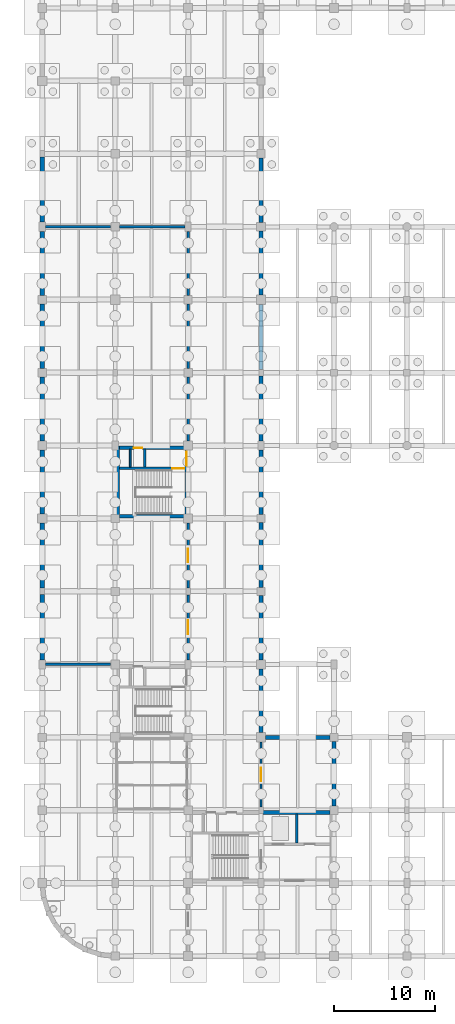
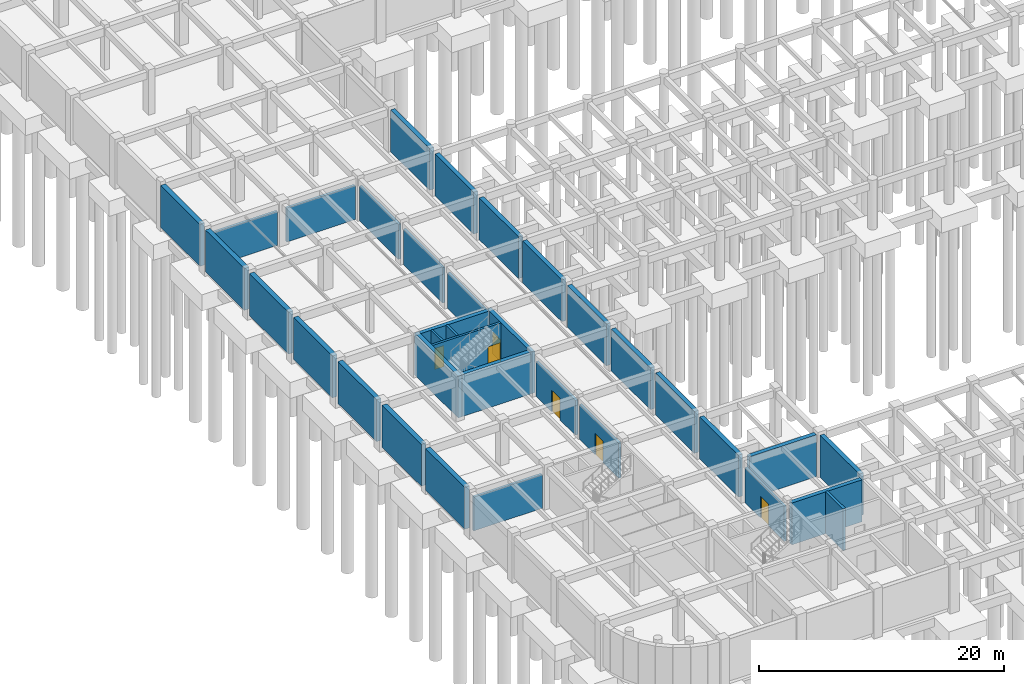
# One storey, part 38 of 47: 35 walls, 6 doors, 6 openings.
"""IFC4 building model written with IfcOpenShell, lengths in metres."""

import ifcopenshell
import ifcopenshell.guid

model = None  # the IFC model being written
_history = None  # IfcOwnerHistory: only IFC2X3 demands one
_inside = {}  # id of a spatial element -> (the spatial element, [elements in it])
_under = {}  # id of a project, library or spatial element -> (it, [spatial elements below it])
_declared = {}  # id of a project -> (the project, [libraries it declares])
_typed = {}  # id of a type object -> (the type object, [elements of that type])
_made_of = {}  # id of a material, layer set ... -> (it, [elements and type objects made of it])


def new_model(schema):
    """Start an empty IFC model of exactly this schema.

    Asked for "IFC4X3", IfcOpenShell would pick the latest addendum, in which some entities
    have other attributes; the version numbers below select the first issue.
    IFC2X3 requires an IfcOwnerHistory on every rooted entity: one is made here for all.
    """
    global model, _history
    if schema == "IFC4X3":
        model = ifcopenshell.file(schema_version=(4, 3, 0, 0))
    else:
        model = ifcopenshell.file(schema=schema)
    _inside.clear()
    _under.clear()
    _declared.clear()
    _typed.clear()
    _made_of.clear()
    _history = None
    if model.schema == "IFC2X3":
        org = make("IfcOrganization", Name="unknown")
        user = make(
            "IfcPersonAndOrganization",
            ThePerson=make("IfcPerson", FamilyName="unknown"),
            TheOrganization=org,
        )
        app = make(
            "IfcApplication",
            ApplicationDeveloper=org,
            Version="unknown",
            ApplicationFullName="unknown",
            ApplicationIdentifier="unknown",
        )
        _history = make(
            "IfcOwnerHistory",
            OwningUser=user,
            OwningApplication=app,
            ChangeAction="ADDED",
            CreationDate=0,
        )
    return model


def make(cls, **values):
    """One entity of the class cls with the attributes given. An attribute that is None is left unset."""
    return model.create_entity(
        cls, **{name: value for name, value in values.items() if value is not None}
    )


def rooted(cls, **values):
    """An entity with a GlobalId (a new one), such as an element, a storey or a relation."""
    return make(cls, GlobalId=ifcopenshell.guid.new(), OwnerHistory=_history, **values)


def si_unit(unit_type, name, prefix=None):
    """IfcSIUnit, for example si_unit("LENGTHUNIT", "METRE", prefix="MILLI")."""
    return make("IfcSIUnit", UnitType=unit_type, Prefix=prefix, Name=name)


def assignment(units):
    """IfcUnitAssignment: the units of a project."""
    return None if units is None else make("IfcUnitAssignment", Units=units)


def point(xyz):
    """IfcCartesianPoint."""
    return None if xyz is None else make("IfcCartesianPoint", Coordinates=xyz)


def direction(xyz):
    """IfcDirection."""
    return None if xyz is None else make("IfcDirection", DirectionRatios=xyz)


def frame(location, z_axis=None, x_axis=None):
    """IfcAxis2Placement3D, a coordinate frame: its origin and axes. An axis left out is left unset."""
    return make(
        "IfcAxis2Placement3D",
        Location=point(location),
        Axis=direction(z_axis),
        RefDirection=direction(x_axis),
    )


def frame_2d(location, x_axis=None):
    """IfcAxis2Placement2D, a coordinate frame in the plane: its origin and x axis."""
    return make(
        "IfcAxis2Placement2D", Location=point(location), RefDirection=direction(x_axis)
    )


def origin():
    """The frame at (0, 0, 0) with its axes left unset."""
    return frame((0.0, 0.0, 0.0))


def place(relative_to, where):
    """IfcLocalPlacement: puts the frame where relative to a parent placement (None: the world)."""
    return make(
        "IfcLocalPlacement", PlacementRelTo=relative_to, RelativePlacement=where
    )


def context(
    kind, dimensions, precision=None, world=None, true_north=None, identifier=None
):
    """IfcGeometricRepresentationContext, for example the 3D "Model" context."""
    return make(
        "IfcGeometricRepresentationContext",
        ContextIdentifier=identifier,
        ContextType=kind,
        CoordinateSpaceDimension=dimensions,
        Precision=precision,
        WorldCoordinateSystem=world,
        TrueNorth=true_north,
    )


def subcontext(parent, identifier, kind, view, scale=None):
    """IfcGeometricRepresentationSubContext, for example "Body" below "Model"."""
    return make(
        "IfcGeometricRepresentationSubContext",
        ContextIdentifier=identifier,
        ContextType=kind,
        ParentContext=parent,
        TargetScale=scale,
        TargetView=view,
    )


def project(units=None, contexts=None):
    """IfcProject with its units and contexts."""
    return rooted(
        "IfcProject",
        Name="project",
        RepresentationContexts=contexts,
        UnitsInContext=assignment(units),
    )


def spatial(cls, under=None, at=None, **own):
    """A site, building, storey or space (cls), placed at a placement, below another one or the project."""
    s = rooted(cls, ObjectPlacement=at, **own)
    if under is not None:
        _under.setdefault(under.id(), (under, []))[1].append(s)
    return s


def profile(cls, at=None, kind="AREA", **sizes):
    """A parametric profile (cls). Its sizes go by their IFC names, for example OverallWidth=200.0."""
    return make(cls, ProfileType=kind, Position=at, **sizes)


def rectangle(**sizes):
    """IfcRectangleProfileDef."""
    return profile("IfcRectangleProfileDef", **sizes)


def extrude(swept, where, along, depth):
    """IfcExtrudedAreaSolid: the profile swept, set in the frame where, extruded along a direction by depth."""
    return make(
        "IfcExtrudedAreaSolid",
        SweptArea=swept,
        Position=where,
        ExtrudedDirection=direction(along),
        Depth=depth,
    )


def shape(context_of_items, identifier, shape_type, items):
    """IfcShapeRepresentation: the items that make up one representation, for example the "Body"."""
    return make(
        "IfcShapeRepresentation",
        ContextOfItems=context_of_items,
        RepresentationIdentifier=identifier,
        RepresentationType=shape_type,
        Items=items,
    )


def material(Name=None, Category=None):
    """IfcMaterial."""
    return make("IfcMaterial", Name=Name, Category=Category)


def layer(
    of_material, thickness, ventilated=None, Name=None, Category=None, Priority=None
):
    """IfcMaterialLayer: one layer of a wall or slab, of a material (None: an air gap)."""
    return make(
        "IfcMaterialLayer",
        Material=of_material,
        LayerThickness=thickness,
        IsVentilated=ventilated,
        Name=Name,
        Category=Category,
        Priority=Priority,
    )


def layer_set(layers, Name=None):
    """IfcMaterialLayerSet."""
    return make("IfcMaterialLayerSet", MaterialLayers=layers, LayerSetName=Name)


def made_of(thing, what):
    """Note that an element or type object is made of a material, layer set ...; save() writes the relation."""
    if what is not None:
        _made_of.setdefault(what.id(), (what, []))[1].append(thing)
    return thing


def type_object(cls, material=None, **own):
    """A type object (cls), such as IfcWallType, which elements share."""
    return made_of(rooted(cls, **own), material)


def element(
    cls,
    number,
    at=None,
    inside=None,
    cuts=None,
    type_object=None,
    material=None,
    context=None,
    identifier="Body",
    shape_type=None,
    held_by="IfcProductDefinitionShape",
    body=None,
    shapes=None,
    **own,
):
    """One element of the class cls, such as IfcWall. Its Tag is "e" and its number.

    at: its placement. inside: the storey or other place that contains it. cuts: it is an
    opening in that element (IfcRelVoidsElement). A single representation is given by context,
    identifier, shape_type and body (its items); several are given by shapes. held_by: the class
    of the entity that holds the representations. save() writes the other relations.
    """
    e = rooted(cls, Tag="e%d" % number, ObjectPlacement=at, **own)
    if body is not None:
        shapes = [shape(context, identifier, shape_type, body)]
    if shapes is not None:
        e.Representation = make(held_by, Representations=shapes)
    if inside is not None:
        _inside.setdefault(inside.id(), (inside, []))[1].append(e)
    if cuts is not None:
        rooted(
            "IfcRelVoidsElement", RelatingBuildingElement=cuts, RelatedOpeningElement=e
        )
    if type_object is not None:
        _typed.setdefault(type_object.id(), (type_object, []))[1].append(e)
    return made_of(e, material)


def fill(opening, filler):
    """IfcRelFillsElement: the door or window that sits in an opening."""
    return rooted(
        "IfcRelFillsElement",
        RelatingOpeningElement=opening,
        RelatedBuildingElement=filler,
    )


def aggregate(whole, parts):
    """IfcRelAggregates: a whole, such as a stair, and the parts it consists of."""
    return rooted("IfcRelAggregates", RelatingObject=whole, RelatedObjects=parts)


def save(model, path):
    """Write the relations noted so far, then the file.

    IfcRelAggregates (storeys below a building ...), IfcRelContainedInSpatialStructure (elements
    in a storey), IfcRelDefinesByType, IfcRelAssociatesMaterial and IfcRelDeclares: one each for
    every whole, place, type object, material and project.
    """
    for whole, parts in _under.values():
        aggregate(whole, parts)
    for where, things in _inside.values():
        rooted(
            "IfcRelContainedInSpatialStructure",
            RelatedElements=things,
            RelatingStructure=where,
        )
    for kind, things in _typed.values():
        rooted("IfcRelDefinesByType", RelatedObjects=things, RelatingType=kind)
    for what, things in _made_of.values():
        rooted("IfcRelAssociatesMaterial", RelatedObjects=things, RelatingMaterial=what)
    for by, libraries in _declared.values():
        rooted("IfcRelDeclares", RelatingContext=by, RelatedDefinitions=libraries)
    model.write(path)


model = new_model("IFC4")

# Units and contexts
model_context = context("Model", 3, precision=1e-05, world=origin(), true_north=direction((0.0, 1.0)))
body_context = subcontext(model_context, "Body", "Model", "MODEL_VIEW")
ifc_project = project(units=[si_unit("LENGTHUNIT", "METRE"), si_unit("AREAUNIT", "SQUARE_METRE"), si_unit("VOLUMEUNIT", "CUBIC_METRE"), si_unit("PLANEANGLEUNIT", "RADIAN"), si_unit("MASSUNIT", "GRAM", prefix="KILO")], contexts=[model_context])

# Site, building, storey
site_placement = place(None, origin())
site = spatial("IfcSite", under=ifc_project, at=site_placement, CompositionType="ELEMENT")
building_placement = place(site_placement, origin())
building = spatial("IfcBuilding", under=site, at=building_placement, Name="Thalmaran Polytechnic", CompositionType="ELEMENT")
storey_placement = place(building_placement, frame((0.0, 0.0, -4.5)))
storey = spatial("IfcBuildingStorey", under=building, at=storey_placement, Name="B1", CompositionType="ELEMENT", Elevation=-4.5)

# Walls
ifc_material_1 = material(Name="Autoclaved aerated masonry", Category="masonry")
ifc_layer_1 = layer(ifc_material_1, 0.25, Name="Autoclaved aerated masonry")
ifc_layer_set_1 = layer_set([ifc_layer_1], Name="Autoclaved aerated masonry")
wall_type_1 = type_object("IfcWallType", Name="WL-IW01", PredefinedType="PARTITIONING", material=ifc_layer_set_1)
wall_1_placement = place(storey_placement, frame((25.10009765625, 11.179931640625, 0.0), z_axis=(0.0, 0.0, 1.0), x_axis=(0.0, 1.0, 0.0)))
element("IfcWall", 1, at=wall_1_placement, inside=storey, type_object=wall_type_1, Name="Core C1 Shaft Dividing Wall B1", PredefinedType="PARTITIONING", context=body_context, shape_type="SweptSolid", body=[
    extrude(rectangle(XDim=2.8701171875, YDim=0.25, at=frame_2d((1.43505859375, 0.0))), origin(), (0.0, 0.0, 1.0), 4.169921875),
])
ifc_layer_2 = layer(ifc_material_1, 0.22998046875, Name="Autoclaved aerated masonry")
ifc_layer_set_2 = layer_set([ifc_layer_2], Name="Autoclaved aerated masonry")
wall_type_2 = type_object("IfcWallType", Name="WL-IW02", PredefinedType="PARTITIONING", material=ifc_layer_set_2)
wall_2_placement = place(storey_placement, frame((10.10009765625, 48.300048828125, 0.0), z_axis=(0.0, 0.0, 1.0), x_axis=(0.0, 1.0, 0.0)))
element("IfcWall", 2, at=wall_2_placement, inside=storey, type_object=wall_type_2, Name="Core C4 Riser Partition B1", PredefinedType="PARTITIONING", context=body_context, shape_type="SweptSolid", body=[
    extrude(rectangle(XDim=1.739990234375, YDim=0.22998046875, at=frame_2d((0.8701171875, 0.0))), origin(), (0.0, 0.0, 1.0), 4.169921875),
])
for number, where, z_axis, x_axis, name in (
    (3, (0.304931640625, 28.800048828125, 0.0), (0.0, 0.0, 1.0), (1.0, 0.0, 0.0), "Interior Partition IW02 B1-001"),
    (4, (0.304931640625, 72.0, 0.0), (0.0, 0.0, 1.0), (1.0, 0.0, 0.0), "Interior Partition IW02 B1-002"),
):
    element("IfcWall", number, at=place(storey_placement, frame(where, z_axis=z_axis, x_axis=x_axis)), inside=storey, type_object=wall_type_2, Name=name, PredefinedType="PARTITIONING", context=body_context, shape_type="SweptSolid", body=[
        extrude(rectangle(XDim=6.449951171875, YDim=0.22998046875, at=frame_2d((3.22509765625, 0.0))), origin(), (0.0, 0.0, 1.0), 3.3701171875),
    ])

# Wall, opening, door
wall_3_placement = place(storey_placement, frame((14.39990234375, 29.2548828125, 0.0), z_axis=(0.0, 0.0, 1.0), x_axis=(0.0, 1.0, 0.0)))
wall_3 = element("IfcWall", 5, at=wall_3_placement, inside=storey, type_object=wall_type_2, Name="Interior Partition IW02 B1-004", PredefinedType="PARTITIONING", context=body_context, shape_type="SweptSolid", body=[
    extrude(rectangle(XDim=6.4150390625, YDim=0.22998046875, at=frame_2d((3.20751953125, 0.0))), origin(), (0.0, 0.0, 1.0), 3.47998046875),
])
opening_1_placement = place(wall_3_placement, frame((2.532470703125, 0.0, 0.0)))
opening_1 = element("IfcOpeningElement", 6, at=opening_1_placement, cuts=wall_3, Name="Opening D-B1-003--STR-1", PredefinedType="OPENING", context=body_context, shape_type="SweptSolid", body=[
    extrude(rectangle(XDim=1.35009765625, YDim=2.14990234375, at=frame_2d((0.675048828125, 1.074951171875))), frame((0.0, 0.125, 0.0), z_axis=(0.0, -1.0, 0.0), x_axis=(1.0, 0.0, 0.0)), (0.0, 0.0, 1.0), 0.25),
])
ifc_material_2 = material(Name="Powder-coated fire-rated steel", Category="steel")
door_type_1 = type_object("IfcDoorType", Name="DR-FD06", OperationType="NOTDEFINED", PredefinedType="DOOR", material=ifc_material_2)
door_1_placement = place(opening_1_placement, origin())
door_1 = element("IfcDoor", 7, at=door_1_placement, inside=storey, type_object=door_type_1, Name="Heavy Engineering Equipment Store Door 1", OperationType="SINGLE_SWING_LEFT", OverallHeight=2.14990234375, OverallWidth=1.35009765625, PredefinedType="DOOR", context=body_context, shape_type="SweptSolid", body=[
    extrude(rectangle(XDim=1.35009765625, YDim=2.14990234375, at=frame_2d((0.675048828125, 1.074951171875))), frame((0.0, 0.02490234375, 0.0), z_axis=(0.0, -1.0, 0.0), x_axis=(1.0, 0.0, 0.0)), (0.0, 0.0, 1.0), 0.050048828125),
])
fill(opening_1, door_1)

wall_4_placement = place(storey_placement, frame((14.39990234375, 36.330078125, 0.0), z_axis=(0.0, 0.0, 1.0), x_axis=(0.0, 1.0, 0.0)))
wall_4 = element("IfcWall", 8, at=wall_4_placement, inside=storey, type_object=wall_type_2, Name="Interior Partition IW02 B1-005", PredefinedType="PARTITIONING", context=body_context, shape_type="SweptSolid", body=[
    extrude(rectangle(XDim=6.4150390625, YDim=0.22998046875, at=frame_2d((3.20751953125, 0.0))), origin(), (0.0, 0.0, 1.0), 3.47509765625),
])
opening_2_placement = place(wall_4_placement, frame((2.532470703125, 0.0, 0.0)))
opening_2 = element("IfcOpeningElement", 9, at=opening_2_placement, cuts=wall_4, Name="Opening D-B1-004--STR-2", PredefinedType="OPENING", context=body_context, shape_type="SweptSolid", body=[
    extrude(rectangle(XDim=1.35009765625, YDim=2.14990234375, at=frame_2d((0.675048828125, 1.074951171875))), frame((0.0, 0.125, 0.0), z_axis=(0.0, -1.0, 0.0), x_axis=(1.0, 0.0, 0.0)), (0.0, 0.0, 1.0), 0.25),
])
door_2_placement = place(opening_2_placement, origin())
door_2 = element("IfcDoor", 10, at=door_2_placement, inside=storey, type_object=door_type_1, Name="Heavy Engineering Equipment Store Door 2", OperationType="SINGLE_SWING_RIGHT", OverallHeight=2.14990234375, OverallWidth=1.35009765625, PredefinedType="DOOR", context=body_context, shape_type="SweptSolid", body=[
    extrude(rectangle(XDim=1.35009765625, YDim=2.14990234375, at=frame_2d((0.675048828125, 1.074951171875))), frame((0.0, 0.02490234375, 0.0), z_axis=(0.0, -1.0, 0.0), x_axis=(1.0, 0.0, 0.0)), (0.0, 0.0, 1.0), 0.050048828125),
])
fill(opening_2, door_2)

# Walls
wall_5_placement = place(storey_placement, frame((14.39990234375, 50.844970703125, 0.0), z_axis=(0.0, 0.0, 1.0), x_axis=(0.0, 1.0, 0.0)))
element("IfcWall", 11, at=wall_5_placement, inside=storey, type_object=wall_type_2, Name="Interior Partition IW02 B1-006", PredefinedType="PARTITIONING", context=body_context, shape_type="SweptSolid", body=[
    extrude(rectangle(XDim=6.340087890625, YDim=0.22998046875, at=frame_2d((3.169921875, 0.0))), origin(), (0.0, 0.0, 1.0), 3.5400390625),
])
wall_6_placement = place(storey_placement, frame((14.39990234375, 58.014892578125, 0.0), z_axis=(0.0, 0.0, 1.0), x_axis=(0.0, 1.0, 0.0)))
element("IfcWall", 12, at=wall_6_placement, inside=storey, type_object=wall_type_2, Name="Interior Partition IW02 B1-007", PredefinedType="PARTITIONING", context=body_context, shape_type="SweptSolid", body=[
    extrude(rectangle(XDim=6.380126953125, YDim=0.22998046875, at=frame_2d((3.18994140625, 0.0))), origin(), (0.0, 0.0, 1.0), 3.534912109375),
])
wall_7_placement = place(storey_placement, frame((14.39990234375, 65.205078125, 0.0), z_axis=(0.0, 0.0, 1.0), x_axis=(0.0, 1.0, 0.0)))
element("IfcWall", 13, at=wall_7_placement, inside=storey, type_object=wall_type_2, Name="Interior Partition IW02 B1-008", PredefinedType="PARTITIONING", context=body_context, shape_type="SweptSolid", body=[
    extrude(rectangle(XDim=6.33984375, YDim=0.22998046875, at=frame_2d((3.169921875, 0.0))), origin(), (0.0, 0.0, 1.0), 3.485107421875),
])
wall_8_placement = place(storey_placement, frame((7.64501953125, 72.0, 0.0), z_axis=(0.0, 0.0, 1.0), x_axis=(1.0, 0.0, 0.0)))
element("IfcWall", 14, at=wall_8_placement, inside=storey, type_object=wall_type_2, Name="Interior Partition IW02 B1-009", PredefinedType="PARTITIONING", context=body_context, shape_type="SweptSolid", body=[
    extrude(rectangle(XDim=6.449951171875, YDim=0.22998046875, at=frame_2d((3.22509765625, 0.0))), origin(), (0.0, 0.0, 1.0), 3.389892578125),
])

# Wall, opening, door
wall_9_placement = place(storey_placement, frame((21.60009765625, 14.72998046875, 0.0), z_axis=(0.0, 0.0, 1.0), x_axis=(0.0, 1.0, 0.0)))
wall_9 = element("IfcWall", 15, at=wall_9_placement, inside=storey, type_object=wall_type_2, Name="Interior Partition IW02 B1-010", PredefinedType="PARTITIONING", context=body_context, shape_type="SweptSolid", body=[
    extrude(rectangle(XDim=6.4150390625, YDim=0.22998046875, at=frame_2d((3.20751953125, 0.0))), origin(), (0.0, 0.0, 1.0), 3.485107421875),
])
opening_3_placement = place(wall_9_placement, frame((2.532470703125, 0.0, 0.0)))
opening_3 = element("IfcOpeningElement", 16, at=opening_3_placement, cuts=wall_9, Name="Opening D-B1-002--SUB-2", PredefinedType="OPENING", context=body_context, shape_type="SweptSolid", body=[
    extrude(rectangle(XDim=1.35009765625, YDim=2.14990234375, at=frame_2d((0.675048828125, 1.074951171875))), frame((0.0, 0.125, 0.0), z_axis=(0.0, -1.0, 0.0), x_axis=(1.0, 0.0, 0.0)), (0.0, 0.0, 1.0), 0.25),
])
door_3_placement = place(opening_3_placement, origin())
door_3 = element("IfcDoor", 17, at=door_3_placement, inside=storey, type_object=door_type_1, Name="HV Substation and Standby Power Plant Room Door 2", OperationType="SINGLE_SWING_RIGHT", OverallHeight=2.14990234375, OverallWidth=1.35009765625, PredefinedType="DOOR", context=body_context, shape_type="SweptSolid", body=[
    extrude(rectangle(XDim=1.35009765625, YDim=2.14990234375, at=frame_2d((0.675048828125, 1.074951171875))), frame((0.0, 0.02490234375, 0.0), z_axis=(0.0, -1.0, 0.0), x_axis=(1.0, 0.0, 0.0)), (0.0, 0.0, 1.0), 0.050048828125),
])
fill(opening_3, door_3)

# Walls
ifc_layer_3 = layer(ifc_material_1, 0.179931640625, Name="Autoclaved aerated masonry")
ifc_layer_set_3 = layer_set([ifc_layer_3], Name="Autoclaved aerated masonry")
wall_type_3 = type_object("IfcWallType", Name="WL-IW04", PredefinedType="PARTITIONING", material=ifc_layer_set_3)
wall_10_placement = place(storey_placement, frame((8.679931640625, 48.280029296875, 0.0), z_axis=(0.0, 0.0, 1.0), x_axis=(0.0, 1.0, 0.0)))
element("IfcWall", 18, at=wall_10_placement, inside=storey, type_object=wall_type_3, Name="Core C4 Riser Shaft Enclosure Wall B1", PredefinedType="PARTITIONING", context=body_context, shape_type="SweptSolid", body=[
    extrude(rectangle(XDim=1.760009765625, YDim=0.179931640625, at=frame_2d((0.8798828125, 0.0))), origin(), (0.0, 0.0, 1.0), 4.169921875),
])
ifc_material_3 = material(Name="Concrete C40/50", Category="concrete")
ifc_layer_4 = layer(ifc_material_3, 0.449951171875, Name="Concrete C40/50")
ifc_layer_set_4 = layer_set([ifc_layer_4], Name="Concrete C40/50")
wall_type_4 = type_object("IfcWallType", Name="WL-RW01", PredefinedType="SOLIDWALL", material=ifc_layer_set_4)
for number, where, z_axis, x_axis, name in (
    (19, (0.0, 29.25, 0.0), (0.0, 0.0, 1.0), (0.0, 1.0, 0.0), "Basement Retaining Wall B1-006"),
    (20, (0.0, 36.324951171875, 0.0), (0.0, 0.0, 1.0), (0.0, 1.0, 0.0), "Basement Retaining Wall B1-007"),
):
    element("IfcWall", number, at=place(storey_placement, frame(where, z_axis=z_axis, x_axis=x_axis)), inside=storey, type_object=wall_type_4, Name=name, PredefinedType="SOLIDWALL", context=body_context, shape_type="SweptSolid", body=[
        extrude(rectangle(XDim=6.425048828125, YDim=0.449951171875, at=frame_2d((3.21240234375, 0.0))), origin(), (0.0, 0.0, 1.0), 4.169921875),
    ])
wall_11_placement = place(storey_placement, frame((0.0, 43.64990234375, 0.0), z_axis=(0.0, 0.0, 1.0), x_axis=(0.0, 1.0, 0.0)))
element("IfcWall", 21, at=wall_11_placement, inside=storey, type_object=wall_type_4, Name="Basement Retaining Wall B1-008", PredefinedType="SOLIDWALL", context=body_context, shape_type="SweptSolid", body=[
    extrude(rectangle(XDim=6.31005859375, YDim=0.449951171875, at=frame_2d((3.155029296875, 0.0))), origin(), (0.0, 0.0, 1.0), 4.169921875),
])
wall_12_placement = place(storey_placement, frame((0.0, 50.840087890625, 0.0), z_axis=(0.0, 0.0, 1.0), x_axis=(0.0, 1.0, 0.0)))
element("IfcWall", 22, at=wall_12_placement, inside=storey, type_object=wall_type_4, Name="Basement Retaining Wall B1-009", PredefinedType="SOLIDWALL", context=body_context, shape_type="SweptSolid", body=[
    extrude(rectangle(XDim=6.349853515625, YDim=0.449951171875, at=frame_2d((3.1748046875, 0.0))), origin(), (0.0, 0.0, 1.0), 4.169921875),
])
wall_13_placement = place(storey_placement, frame((0.0, 58.010009765625, 0.0), z_axis=(0.0, 0.0, 1.0), x_axis=(0.0, 1.0, 0.0)))
element("IfcWall", 23, at=wall_13_placement, inside=storey, type_object=wall_type_4, Name="Basement Retaining Wall B1-010", PredefinedType="SOLIDWALL", context=body_context, shape_type="SweptSolid", body=[
    extrude(rectangle(XDim=6.389892578125, YDim=0.449951171875, at=frame_2d((3.19482421875, 0.0))), origin(), (0.0, 0.0, 1.0), 4.169921875),
])
wall_14_placement = place(storey_placement, frame((0.0, 65.199951171875, 0.0), z_axis=(0.0, 0.0, 1.0), x_axis=(0.0, 1.0, 0.0)))
element("IfcWall", 24, at=wall_14_placement, inside=storey, type_object=wall_type_4, Name="Basement Retaining Wall B1-011", PredefinedType="SOLIDWALL", context=body_context, shape_type="SweptSolid", body=[
    extrude(rectangle(XDim=6.35009765625, YDim=0.449951171875, at=frame_2d((3.175048828125, 0.0))), origin(), (0.0, 0.0, 1.0), 4.169921875),
])
wall_15_placement = place(storey_placement, frame((0.0, 72.449951171875, 0.0), z_axis=(0.0, 0.0, 1.0), x_axis=(0.0, 1.0, 0.0)))
element("IfcWall", 25, at=wall_15_placement, inside=storey, type_object=wall_type_4, Name="Basement Retaining Wall B1-012", PredefinedType="SOLIDWALL", context=body_context, shape_type="SweptSolid", body=[
    extrude(rectangle(XDim=6.425048828125, YDim=0.449951171875, at=frame_2d((3.21240234375, 0.0))), origin(), (0.0, 0.0, 1.0), 4.169921875),
])
ifc_layer_5 = layer(ifc_material_3, 0.39990234375, Name="Concrete C40/50")
ifc_layer_set_5 = layer_set([ifc_layer_5], Name="Concrete C40/50")
wall_type_5 = type_object("IfcWallType", Name="WL-RW02", PredefinedType="SOLIDWALL", material=ifc_layer_set_5)
wall_16_placement = place(storey_placement, frame((21.60009765625, 78.7900390625, 0.0), z_axis=(0.0, 0.0, 1.0), x_axis=(0.0, -1.0, 0.0)))
element("IfcWall", 26, at=wall_16_placement, inside=storey, type_object=wall_type_5, Name="Basement Retaining Wall B1-080", PredefinedType="SOLIDWALL", context=body_context, shape_type="SweptSolid", body=[
    extrude(rectangle(XDim=6.35009765625, YDim=0.39990234375, at=frame_2d((3.175048828125, 0.0))), origin(), (0.0, 0.0, 1.0), 4.169921875),
])
wall_17_placement = place(storey_placement, frame((21.60009765625, 71.56005859375, 0.0), z_axis=(0.0, 0.0, 1.0), x_axis=(0.0, -1.0, 0.0)))
element("IfcWall", 27, at=wall_17_placement, inside=storey, type_object=wall_type_5, Name="Basement Retaining Wall B1-081", PredefinedType="SOLIDWALL", context=body_context, shape_type="SweptSolid", body=[
    extrude(rectangle(XDim=6.31005859375, YDim=0.39990234375, at=frame_2d((3.155029296875, 0.0))), origin(), (0.0, 0.0, 1.0), 4.169921875),
])
wall_18_placement = place(storey_placement, frame((21.60009765625, 64.35009765625, 0.0), z_axis=(0.0, 0.0, 1.0), x_axis=(0.0, -1.0, 0.0)))
element("IfcWall", 28, at=wall_18_placement, inside=storey, type_object=wall_type_5, Name="Basement Retaining Wall B1-082", PredefinedType="SOLIDWALL", context=body_context, shape_type="SweptSolid", body=[
    extrude(rectangle(XDim=6.425048828125, YDim=0.39990234375, at=frame_2d((3.21240234375, 0.0))), origin(), (0.0, 0.0, 1.0), 4.169921875),
])
wall_19_placement = place(storey_placement, frame((21.60009765625, 57.27490234375, 0.0), z_axis=(0.0, 0.0, 1.0), x_axis=(0.0, -1.0, 0.0)))
element("IfcWall", 29, at=wall_19_placement, inside=storey, type_object=wall_type_5, Name="Basement Retaining Wall B1-083", PredefinedType="SOLIDWALL", context=body_context, shape_type="SweptSolid", body=[
    extrude(rectangle(XDim=6.4248046875, YDim=0.39990234375, at=frame_2d((3.21240234375, 0.0))), origin(), (0.0, 0.0, 1.0), 4.169921875),
])
wall_20_placement = place(storey_placement, frame((21.60009765625, 49.949951171875, 0.0), z_axis=(0.0, 0.0, 1.0), x_axis=(0.0, -1.0, 0.0)))
element("IfcWall", 30, at=wall_20_placement, inside=storey, type_object=wall_type_5, Name="Basement Retaining Wall B1-084", PredefinedType="SOLIDWALL", context=body_context, shape_type="SweptSolid", body=[
    extrude(rectangle(XDim=6.349853515625, YDim=0.39990234375, at=frame_2d((3.1748046875, 0.0))), origin(), (0.0, 0.0, 1.0), 4.169921875),
])
wall_21_placement = place(storey_placement, frame((21.60009765625, 42.800048828125, 0.0), z_axis=(0.0, 0.0, 1.0), x_axis=(0.0, -1.0, 0.0)))
element("IfcWall", 31, at=wall_21_placement, inside=storey, type_object=wall_type_5, Name="Basement Retaining Wall B1-085", PredefinedType="SOLIDWALL", context=body_context, shape_type="SweptSolid", body=[
    extrude(rectangle(XDim=6.39013671875, YDim=0.39990234375, at=frame_2d((3.195068359375, 0.0))), origin(), (0.0, 0.0, 1.0), 4.169921875),
])
wall_22_placement = place(storey_placement, frame((21.60009765625, 35.590087890625, 0.0), z_axis=(0.0, 0.0, 1.0), x_axis=(0.0, -1.0, 0.0)))
element("IfcWall", 32, at=wall_22_placement, inside=storey, type_object=wall_type_5, Name="Basement Retaining Wall B1-086", PredefinedType="SOLIDWALL", context=body_context, shape_type="SweptSolid", body=[
    extrude(rectangle(XDim=6.35009765625, YDim=0.39990234375, at=frame_2d((3.175048828125, 0.0))), origin(), (0.0, 0.0, 1.0), 4.169921875),
])
wall_23_placement = place(storey_placement, frame((21.60009765625, 28.360107421875, 0.0), z_axis=(0.0, 0.0, 1.0), x_axis=(0.0, -1.0, 0.0)))
element("IfcWall", 33, at=wall_23_placement, inside=storey, type_object=wall_type_5, Name="Basement Retaining Wall B1-087", PredefinedType="SOLIDWALL", context=body_context, shape_type="SweptSolid", body=[
    extrude(rectangle(XDim=6.31005859375, YDim=0.39990234375, at=frame_2d((3.155029296875, 0.0))), origin(), (0.0, 0.0, 1.0), 4.169921875),
])
wall_24_placement = place(storey_placement, frame((22.050048828125, 21.60009765625, 0.0), z_axis=(0.0, 0.0, 1.0), x_axis=(1.0, 0.0, 0.0)))
element("IfcWall", 34, at=wall_24_placement, inside=storey, type_object=wall_type_5, Name="Basement Retaining Wall B1-088", PredefinedType="SOLIDWALL", context=body_context, shape_type="SweptSolid", body=[
    extrude(rectangle(XDim=6.349853515625, YDim=0.39990234375, at=frame_2d((3.1748046875, 0.0))), origin(), (0.0, 0.0, 1.0), 4.169921875),
])
wall_25_placement = place(storey_placement, frame((28.800048828125, 21.199951171875, 0.0), z_axis=(0.0, 0.0, 1.0), x_axis=(0.0, -1.0, 0.0)))
element("IfcWall", 35, at=wall_25_placement, inside=storey, type_object=wall_type_5, Name="Basement Retaining Wall B1-089", PredefinedType="SOLIDWALL", context=body_context, shape_type="SweptSolid", body=[
    extrude(rectangle(XDim=6.389892578125, YDim=0.39990234375, at=frame_2d((3.19482421875, 0.0))), origin(), (0.0, 0.0, 1.0), 4.169921875),
])
ifc_material_4 = material(Name="Concrete C50/60", Category="concrete")
ifc_layer_6 = layer(ifc_material_4, 0.3798828125, Name="Concrete C50/60")
ifc_layer_set_6 = layer_set([ifc_layer_6], Name="Concrete C50/60")
wall_type_6 = type_object("IfcWallType", Name="WL-SW02", PredefinedType="SHEAR", material=ifc_layer_set_6)
wall_26_placement = place(storey_placement, frame((21.7900390625, 14.179931640625, 0.0), z_axis=(0.0, 0.0, 1.0), x_axis=(1.0, 0.0, 0.0)))
element("IfcWall", 36, at=wall_26_placement, inside=storey, type_object=wall_type_6, Name="Core C1 Lift Shaft Back Shear Wall B1", PredefinedType="SHEAR", context=body_context, shape_type="SweptSolid", body=[
    extrude(rectangle(XDim=6.599853515625, YDim=0.3798828125, at=frame_2d((3.2998046875, 0.0))), origin(), (0.0, 0.0, 1.0), 4.169921875),
])
wall_27_placement = place(storey_placement, frame((7.610107421875, 43.419921875, 0.0), z_axis=(0.0, 0.0, 1.0), x_axis=(1.0, 0.0, 0.0)))
element("IfcWall", 37, at=wall_27_placement, inside=storey, type_object=wall_type_6, Name="Core C4 South Shear Wall B1", PredefinedType="SHEAR", context=body_context, shape_type="SweptSolid", body=[
    extrude(rectangle(XDim=6.4599609375, YDim=0.3798828125, at=frame_2d((3.22998046875, 0.0))), origin(), (0.0, 0.0, 1.0), 4.169921875),
])
wall_28_placement = place(storey_placement, frame((7.419921875, 50.3701171875, 0.0), z_axis=(0.0, 0.0, 1.0), x_axis=(0.0, -1.0, 0.0)))
element("IfcWall", 38, at=wall_28_placement, inside=storey, type_object=wall_type_6, Name="Core C4 West Shear Wall B1", PredefinedType="SHEAR", context=body_context, shape_type="SweptSolid", body=[
    extrude(rectangle(XDim=7.14013671875, YDim=0.3798828125, at=frame_2d((3.570068359375, 0.0))), origin(), (0.0, 0.0, 1.0), 4.169921875),
])

# Wall, opening, door
wall_29_placement = place(storey_placement, frame((7.610107421875, 50.179931640625, 0.0), z_axis=(0.0, 0.0, 1.0), x_axis=(1.0, 0.0, 0.0)))
wall_29 = element("IfcWall", 39, at=wall_29_placement, inside=storey, type_object=wall_type_6, Name="Core C4 North Shear Wall B1", PredefinedType="SHEAR", context=body_context, shape_type="SweptSolid", body=[
    extrude(rectangle(XDim=6.4599609375, YDim=0.3798828125, at=frame_2d((3.22998046875, 0.0))), origin(), (0.0, 0.0, 1.0), 4.169921875),
])
opening_4_placement = place(wall_29_placement, frame((1.419921875, 0.0, 0.0)))
opening_4 = element("IfcOpeningElement", 40, at=opening_4_placement, cuts=wall_29, Name="Opening DR-C4-B1-R", PredefinedType="OPENING", context=body_context, shape_type="SweptSolid", body=[
    extrude(rectangle(XDim=0.85009765625, YDim=2.10009765625, at=frame_2d((0.425048828125, 1.050048828125))), frame((0.0, 0.199951171875, 0.0), z_axis=(0.0, -1.0, 0.0), x_axis=(1.0, 0.0, 0.0)), (0.0, 0.0, 1.0), 0.39990234375),
])
door_type_2 = type_object("IfcDoorType", Name="DR-FD09", OperationType="NOTDEFINED", PredefinedType="DOOR", material=ifc_material_2)
door_4_placement = place(opening_4_placement, origin())
door_4 = element("IfcDoor", 41, at=door_4_placement, inside=storey, type_object=door_type_2, Name="Riser Access Fire Door C4 B1", OperationType="SINGLE_SWING_RIGHT", OverallHeight=2.10009765625, OverallWidth=0.85009765625, PredefinedType="DOOR", context=body_context, shape_type="SweptSolid", body=[
    extrude(rectangle(XDim=0.85009765625, YDim=2.10009765625, at=frame_2d((0.425048828125, 1.050048828125))), frame((0.0, 0.02490234375, 0.0), z_axis=(0.0, -1.0, 0.0), x_axis=(1.0, 0.0, 0.0)), (0.0, 0.0, 1.0), 0.050048828125),
])
fill(opening_4, door_4)

wall_30_placement = place(storey_placement, frame((7.610107421875, 48.159912109375, 0.0), z_axis=(0.0, 0.0, 1.0), x_axis=(1.0, 0.0, 0.0)))
wall_30 = element("IfcWall", 42, at=wall_30_placement, inside=storey, type_object=wall_type_6, Name="Core C4 Stair Partition B1", PredefinedType="SHEAR", context=body_context, shape_type="SweptSolid", body=[
    extrude(rectangle(XDim=6.4599609375, YDim=0.219970703125, at=frame_2d((3.22998046875, 0.0))), origin(), (0.0, 0.0, 1.0), 4.169921875),
])
opening_5_placement = place(wall_30_placement, frame((5.199951171875, 0.0, 0.0)))
opening_5 = element("IfcOpeningElement", 43, at=opening_5_placement, cuts=wall_30, Name="Opening SD-ST4-B1", PredefinedType="OPENING", context=body_context, shape_type="SweptSolid", body=[
    extrude(rectangle(XDim=1.199951171875, YDim=2.199951171875, at=frame_2d((0.60009765625, 1.10009765625))), frame((0.0, 0.119873046875, 0.0), z_axis=(0.0, -1.0, 0.0), x_axis=(1.0, 0.0, 0.0)), (0.0, 0.0, 1.0), 0.239990234375),
])
door_type_3 = type_object("IfcDoorType", Name="DR-FD04", OperationType="NOTDEFINED", PredefinedType="DOOR", material=ifc_material_2)
door_5_placement = place(opening_5_placement, origin())
door_5 = element("IfcDoor", 44, at=door_5_placement, inside=storey, type_object=door_type_3, Name="Exit Stair Fire Door ST4 B1", OperationType="DOUBLE_DOOR_SINGLE_SWING", OverallHeight=2.199951171875, OverallWidth=1.199951171875, PredefinedType="DOOR", context=body_context, shape_type="SweptSolid", body=[
    extrude(rectangle(XDim=1.199951171875, YDim=2.199951171875, at=frame_2d((0.60009765625, 1.10009765625))), frame((0.0, 0.02490234375, 0.0), z_axis=(0.0, -1.0, 0.0), x_axis=(1.0, 0.0, 0.0)), (0.0, 0.0, 1.0), 0.050048828125),
])
fill(opening_5, door_5)

wall_31_placement = place(storey_placement, frame((14.260009765625, 43.22998046875, 0.0), z_axis=(0.0, 0.0, 1.0), x_axis=(0.0, 1.0, 0.0)))
wall_31 = element("IfcWall", 45, at=wall_31_placement, inside=storey, type_object=wall_type_6, Name="Core C4 East Shear Wall B1", PredefinedType="SHEAR", context=body_context, shape_type="SweptSolid", body=[
    extrude(rectangle(XDim=7.14013671875, YDim=0.3798828125, at=frame_2d((3.570068359375, 0.0))), origin(), (0.0, 0.0, 1.0), 4.169921875),
])
opening_6_placement = place(wall_31_placement, frame((5.199951171875, 0.0, 0.0)))
opening_6 = element("IfcOpeningElement", 46, at=opening_6_placement, cuts=wall_31, Name="Opening LD-C4-B1", PredefinedType="OPENING", context=body_context, shape_type="SweptSolid", body=[
    extrude(rectangle(XDim=1.35009765625, YDim=2.14990234375, at=frame_2d((0.675048828125, 1.074951171875))), frame((0.0, 0.199951171875, 0.0), z_axis=(0.0, -1.0, 0.0), x_axis=(1.0, 0.0, 0.0)), (0.0, 0.0, 1.0), 0.39990234375),
])
door_6_placement = place(opening_6_placement, origin())
door_6 = element("IfcDoor", 47, at=door_6_placement, inside=storey, type_object=door_type_1, Name="Stair Lobby Fire Door C4 B1", OperationType="SINGLE_SWING_LEFT", OverallHeight=2.14990234375, OverallWidth=1.35009765625, PredefinedType="DOOR", context=body_context, shape_type="SweptSolid", body=[
    extrude(rectangle(XDim=1.35009765625, YDim=2.14990234375, at=frame_2d((0.675048828125, 1.074951171875))), frame((0.0, 0.02490234375, 0.0), z_axis=(0.0, -1.0, 0.0), x_axis=(1.0, 0.0, 0.0)), (0.0, 0.0, 1.0), 0.050048828125),
])
fill(opening_6, door_6)

save(model, "model.ifc")
